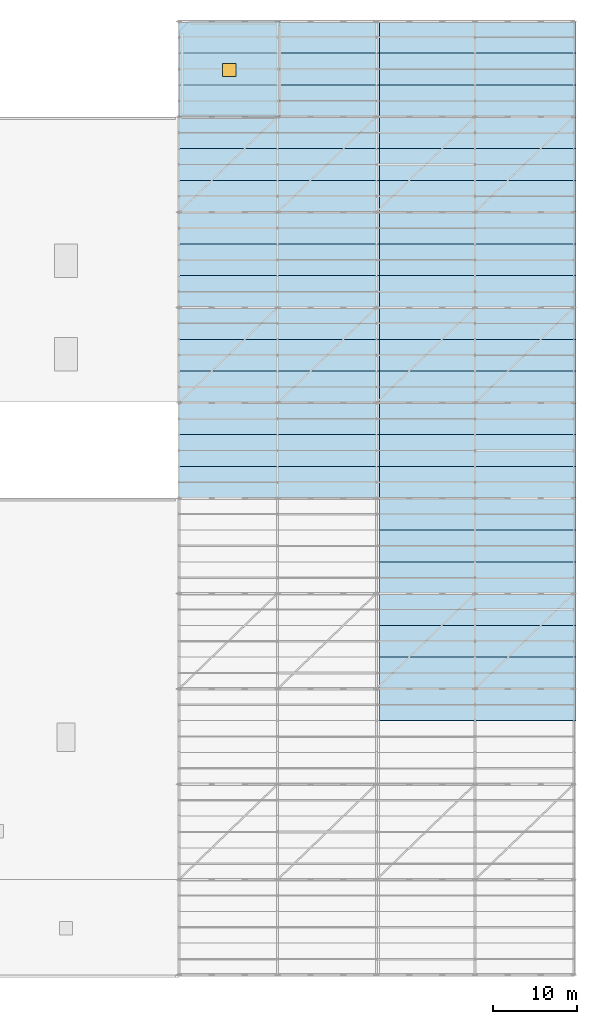
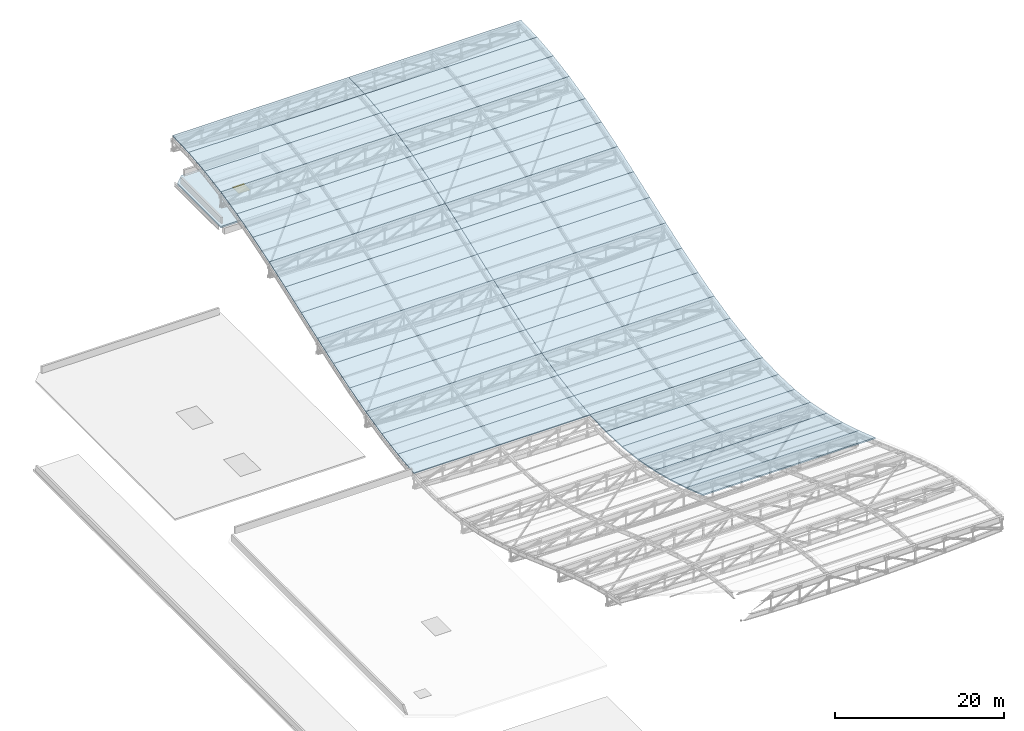
"""IFC4 building model written with IfcOpenShell, lengths in metres."""

from ifc_helpers import new_model, si_unit, direction, frame, origin, origin_2d, place, context, subcontext, project, spatial, polyline, rectangle, outline, extrude, material, layer, layer_set, type_object, element, fill, save


model = new_model("IFC4")

# Units and contexts
model_context = context("Model", 3, precision=1e-05, world=origin(), true_north=direction((0.0, 1.0)))
body_context = subcontext(model_context, "Body", "Model", "MODEL_VIEW")
ifc_project = project(units=[si_unit("LENGTHUNIT", "METRE"), si_unit("AREAUNIT", "SQUARE_METRE"), si_unit("VOLUMEUNIT", "CUBIC_METRE"), si_unit("PLANEANGLEUNIT", "RADIAN"), si_unit("MASSUNIT", "GRAM", prefix="KILO"), si_unit("POWERUNIT", "WATT"), si_unit("THERMODYNAMICTEMPERATUREUNIT", "KELVIN")], contexts=[model_context])

# Site, building, storey
site_placement = place(None, origin())
site = spatial("IfcSite", under=ifc_project, at=site_placement, CompositionType="ELEMENT")
building_placement = place(site_placement, origin())
building = spatial("IfcBuilding", under=site, at=building_placement, Name="Kelmbourne Parkland Aquatics Centre", CompositionType="ELEMENT")
storey_1_placement = place(building_placement, frame((0.0, 0.0, 27.0)))
storey_1 = spatial("IfcBuildingStorey", under=building, at=storey_1_placement, Name="RF", CompositionType="ELEMENT", Elevation=27.0)

# Slabs
ifc_material_1 = material(Name="Concrete C40/50", Category="concrete")
ifc_layer_1 = layer(ifc_material_1, 0.159912109375)
ifc_layer_set_1 = layer_set([ifc_layer_1], Name="Concrete C40/50")
slab_type_1 = type_object("IfcSlabType", Name="SL-RF1", PredefinedType="ROOF", material=ifc_layer_set_1)
slab_1_placement = place(storey_1_placement, frame((152.0, 31.199951171875, -7.657470703125), z_axis=(0.0, 0.321297319029, 0.946978369756), x_axis=(1.0, 0.0, 0.0)))
element("IfcSlab", 1, at=slab_1_placement, inside=storey_1, type_object=slab_type_1, Name="Natatorium wave roof deck facet S09-H2", PredefinedType="ROOF", context=body_context, shape_type="SweptSolid", body=[
    extrude(outline(polyline([(0.0, 0.0), (23.5, 0.0), (23.5, 4.0128148112881945), (0.0, 4.0128148112881945), (0.0, 0.0)])), origin(), (0.0, 0.0, -1.0), 0.159912109375),
])
slab_2_placement = place(storey_1_placement, frame((152.0, 35.0, -8.94677734375), z_axis=(0.0, 0.291151832676, 0.956676857842), x_axis=(1.0, 0.0, 0.0)))
element("IfcSlab", 2, at=slab_2_placement, inside=storey_1, type_object=slab_type_1, Name="Natatorium wave roof deck facet S10-H2", PredefinedType="ROOF", context=body_context, shape_type="SweptSolid", body=[
    extrude(outline(polyline([(0.0, 0.0), (23.5, 0.0), (23.5, 3.9721341610567666), (0.0, 3.9721341610567666), (0.0, 0.0)])), origin(), (0.0, 0.0, -1.0), 0.159912109375),
])
slab_3_placement = place(storey_1_placement, frame((152.0, 38.800048828125, -10.103271484375), z_axis=(0.0, 0.246328396193, 0.96918642233), x_axis=(1.0, 0.0, 0.0)))
element("IfcSlab", 3, at=slab_3_placement, inside=storey_1, type_object=slab_type_1, Name="Natatorium wave roof deck facet S11-H2", PredefinedType="ROOF", context=body_context, shape_type="SweptSolid", body=[
    extrude(outline(polyline([(0.0, 0.0), (23.5, 0.0), (23.5, 3.920864696998837), (0.0, 3.920864696998837), (0.0, 0.0)])), origin(), (0.0, 0.0, -1.0), 0.159912109375),
])
slab_4_placement = place(storey_1_placement, frame((152.0, 42.60009765625, -11.069091796875), z_axis=(0.0, 0.187868919588, 0.982194109661), x_axis=(1.0, 0.0, 0.0)))
element("IfcSlab", 4, at=slab_4_placement, inside=storey_1, type_object=slab_type_1, Name="Natatorium wave roof deck facet S12-H2", PredefinedType="ROOF", context=body_context, shape_type="SweptSolid", body=[
    extrude(outline(polyline([(0.0, 0.0), (23.5, 0.0), (23.5, 3.868690160248501), (0.0, 3.868690160248501), (0.0, 0.0)])), origin(), (0.0, 0.0, -1.0), 0.159912109375),
])
slab_5_placement = place(storey_1_placement, frame((152.0, 46.39990234375, -11.7958984375), z_axis=(0.0, 0.117899846309, 0.993025491234), x_axis=(1.0, 0.0, 0.0)))
element("IfcSlab", 5, at=slab_5_placement, inside=storey_1, type_object=slab_type_1, Name="Natatorium wave roof deck facet S13-H2", PredefinedType="ROOF", context=body_context, shape_type="SweptSolid", body=[
    extrude(outline(polyline([(0.0, 0.0), (23.5, 0.0), (23.5, 3.8267384489830505), (0.0, 3.8267384489830505), (0.0, 0.0)])), origin(), (0.0, 0.0, -1.0), 0.159912109375),
])
slab_6_placement = place(storey_1_placement, frame((152.0, 50.199951171875, -12.2470703125), z_axis=(0.0, 0.040185951091, 0.999192218412), x_axis=(1.0, 0.0, 0.0)))
element("IfcSlab", 6, at=slab_6_placement, inside=storey_1, type_object=slab_type_1, Name="Natatorium wave roof deck facet S14-H2", PredefinedType="ROOF", context=body_context, shape_type="SweptSolid", body=[
    extrude(outline(polyline([(0.0, 0.0), (23.5, 0.0), (23.5, 3.803120919180744), (0.0, 3.803120919180744), (0.0, 0.0)])), origin(), (0.0, 0.0, -1.0), 0.159912109375),
])
slab_7_placement = place(storey_1_placement, frame((152.0, 54.0, -12.39990234375), z_axis=(0.0, -0.035826647923, 0.99935801958), x_axis=(1.0, 0.0, 0.0)))
element("IfcSlab", 7, at=slab_7_placement, inside=storey_1, type_object=slab_type_1, Name="Natatorium wave roof deck facet S15-H2", PredefinedType="ROOF", context=body_context, shape_type="SweptSolid", body=[
    extrude(outline(polyline([(0.0, 0.0), (23.5, 0.0), (23.5, 3.8024899522221007), (0.0, 3.8024899522221007), (0.0, 0.0)])), origin(), (0.0, 0.0, -1.0), 0.159912109375),
])
slab_8_placement = place(storey_1_placement, frame((128.0, 57.800048828125, -12.263671875), z_axis=(0.0, -0.105732291336, 0.994394631205), x_axis=(1.0, 0.0, 0.0)))
element("IfcSlab", 8, at=slab_8_placement, inside=storey_1, type_object=slab_type_1, Name="Natatorium wave roof deck facet S16-H1", PredefinedType="ROOF", context=body_context, shape_type="SweptSolid", body=[
    extrude(outline(polyline([(0.0, 0.0), (24.0, 0.0), (24.0, 3.821469574429463), (0.0, 3.821469574429463), (0.0, 0.0)])), origin(), (0.0, 0.0, -1.0), 0.159912109375),
])
slab_9_placement = place(storey_1_placement, frame((152.0, 57.800048828125, -12.263671875), z_axis=(0.0, -0.105732291336, 0.994394631205), x_axis=(1.0, 0.0, 0.0)))
element("IfcSlab", 9, at=slab_9_placement, inside=storey_1, type_object=slab_type_1, Name="Natatorium wave roof deck facet S16-H2", PredefinedType="ROOF", context=body_context, shape_type="SweptSolid", body=[
    extrude(outline(polyline([(0.0, 0.0), (23.5, 0.0), (23.5, 3.821469574429463), (0.0, 3.821469574429463), (0.0, 0.0)])), origin(), (0.0, 0.0, -1.0), 0.159912109375),
])
slab_10_placement = place(storey_1_placement, frame((128.0, 61.60009765625, -11.859619140625), z_axis=(0.0, -0.170186775941, 0.985411823196), x_axis=(1.0, 0.0, 0.0)))
element("IfcSlab", 10, at=slab_10_placement, inside=storey_1, type_object=slab_type_1, Name="Natatorium wave roof deck facet S17-H1", PredefinedType="ROOF", context=body_context, shape_type="SweptSolid", body=[
    extrude(outline(polyline([(0.0, 0.0), (24.0, 0.0), (24.0, 3.8560575366100243), (0.0, 3.8560575366100243), (0.0, 0.0)])), origin(), (0.0, 0.0, -1.0), 0.159912109375),
])
slab_11_placement = place(storey_1_placement, frame((152.0, 61.60009765625, -11.859619140625), z_axis=(0.0, -0.170186775941, 0.985411823196), x_axis=(1.0, 0.0, 0.0)))
element("IfcSlab", 11, at=slab_11_placement, inside=storey_1, type_object=slab_type_1, Name="Natatorium wave roof deck facet S17-H2", PredefinedType="ROOF", context=body_context, shape_type="SweptSolid", body=[
    extrude(outline(polyline([(0.0, 0.0), (23.5, 0.0), (23.5, 3.8560575366100243), (0.0, 3.8560575366100243), (0.0, 0.0)])), origin(), (0.0, 0.0, -1.0), 0.159912109375),
])
slab_12_placement = place(storey_1_placement, frame((128.0, 65.39990234375, -11.203369140625), z_axis=(0.0, -0.226289818438, 0.974060017695), x_axis=(1.0, 0.0, 0.0)))
element("IfcSlab", 12, at=slab_12_placement, inside=storey_1, type_object=slab_type_1, Name="Natatorium wave roof deck facet S18-H1", PredefinedType="ROOF", context=body_context, shape_type="SweptSolid", body=[
    extrude(outline(polyline([(0.0, 0.0), (24.0, 0.0), (24.0, 3.901247109103759), (0.0, 3.901247109103759), (0.0, 0.0)])), origin(), (0.0, 0.0, -1.0), 0.159912109375),
])
slab_13_placement = place(storey_1_placement, frame((152.0, 65.39990234375, -11.203369140625), z_axis=(0.0, -0.226289818438, 0.974060017695), x_axis=(1.0, 0.0, 0.0)))
element("IfcSlab", 13, at=slab_13_placement, inside=storey_1, type_object=slab_type_1, Name="Natatorium wave roof deck facet S18-H2", PredefinedType="ROOF", context=body_context, shape_type="SweptSolid", body=[
    extrude(outline(polyline([(0.0, 0.0), (23.5, 0.0), (23.5, 3.9012471091037586), (0.0, 3.9012471091037586), (0.0, 0.0)])), origin(), (0.0, 0.0, -1.0), 0.159912109375),
])
slab_14_placement = place(storey_1_placement, frame((128.0, 69.199951171875, -10.320556640625), z_axis=(0.0, -0.272483357885, 0.962160495799), x_axis=(1.0, 0.0, 0.0)))
element("IfcSlab", 14, at=slab_14_placement, inside=storey_1, type_object=slab_type_1, Name="Natatorium wave roof deck facet S19-H1", PredefinedType="ROOF", context=body_context, shape_type="SweptSolid", body=[
    extrude(outline(polyline([(0.0, 0.0), (24.0, 0.0), (24.0, 3.9494957906896415), (0.0, 3.9494957906896415), (0.0, 0.0)])), origin(), (0.0, 0.0, -1.0), 0.159912109375),
])
slab_15_placement = place(storey_1_placement, frame((152.0, 69.199951171875, -10.320556640625), z_axis=(0.0, -0.272483357885, 0.962160495799), x_axis=(1.0, 0.0, 0.0)))
element("IfcSlab", 15, at=slab_15_placement, inside=storey_1, type_object=slab_type_1, Name="Natatorium wave roof deck facet S19-H2", PredefinedType="ROOF", context=body_context, shape_type="SweptSolid", body=[
    extrude(outline(polyline([(0.0, 0.0), (23.5, 0.0), (23.5, 3.9494957906896424), (0.0, 3.9494957906896424), (0.0, 0.0)])), origin(), (0.0, 0.0, -1.0), 0.159912109375),
])
slab_16_placement = place(storey_1_placement, frame((128.0, 73.0, -9.244384765625), z_axis=(0.0, -0.307336797257, 0.951600805512), x_axis=(1.0, 0.0, 0.0)))
element("IfcSlab", 16, at=slab_16_placement, inside=storey_1, type_object=slab_type_1, Name="Natatorium wave roof deck facet S20-H1", PredefinedType="ROOF", context=body_context, shape_type="SweptSolid", body=[
    extrude(outline(polyline([(0.0, 0.0), (24.0, 0.0), (24.0, 3.993322416408966), (0.0, 3.993322416408966), (0.0, 0.0)])), origin(), (0.0, 0.0, -1.0), 0.159912109375),
])
slab_17_placement = place(storey_1_placement, frame((152.0, 73.0, -9.244384765625), z_axis=(0.0, -0.307336797257, 0.951600805512), x_axis=(1.0, 0.0, 0.0)))
element("IfcSlab", 17, at=slab_17_placement, inside=storey_1, type_object=slab_type_1, Name="Natatorium wave roof deck facet S20-H2", PredefinedType="ROOF", context=body_context, shape_type="SweptSolid", body=[
    extrude(outline(polyline([(0.0, 0.0), (23.5, 0.0), (23.5, 3.993322416408966), (0.0, 3.993322416408966), (0.0, 0.0)])), origin(), (0.0, 0.0, -1.0), 0.159912109375),
])
slab_18_placement = place(storey_1_placement, frame((128.0, 76.800048828125, -8.01708984375), z_axis=(0.0, -0.330795996428, 0.943702288196), x_axis=(1.0, 0.0, 0.0)))
element("IfcSlab", 18, at=slab_18_placement, inside=storey_1, type_object=slab_type_1, Name="Natatorium wave roof deck facet S21-H1", PredefinedType="ROOF", context=body_context, shape_type="SweptSolid", body=[
    extrude(outline(polyline([(0.0, 0.0), (24.0, 0.0), (24.0, 4.026745378976767), (0.0, 4.026745378976767), (0.0, 0.0)])), origin(), (0.0, 0.0, -1.0), 0.159912109375),
])
slab_19_placement = place(storey_1_placement, frame((152.0, 76.800048828125, -8.01708984375), z_axis=(0.0, -0.330795996428, 0.943702288196), x_axis=(1.0, 0.0, 0.0)))
element("IfcSlab", 19, at=slab_19_placement, inside=storey_1, type_object=slab_type_1, Name="Natatorium wave roof deck facet S21-H2", PredefinedType="ROOF", context=body_context, shape_type="SweptSolid", body=[
    extrude(outline(polyline([(0.0, 0.0), (23.5, 0.0), (23.5, 4.026745378976766), (0.0, 4.026745378976766), (0.0, 0.0)])), origin(), (0.0, 0.0, -1.0), 0.159912109375),
])
slab_20_placement = place(storey_1_placement, frame((128.0, 80.60009765625, -6.68505859375), z_axis=(0.0, -0.342455458136, 0.939534064945), x_axis=(1.0, 0.0, 0.0)))
element("IfcSlab", 20, at=slab_20_placement, inside=storey_1, type_object=slab_type_1, Name="Natatorium wave roof deck facet S22-H1", PredefinedType="ROOF", context=body_context, shape_type="SweptSolid", body=[
    extrude(outline(polyline([(0.0, 0.0), (24.0, 0.0), (24.0, 4.0443500978554745), (0.0, 4.0443500978554745), (0.0, 0.0)])), origin(), (0.0, 0.0, -1.0), 0.159912109375),
])
slab_21_placement = place(storey_1_placement, frame((152.0, 80.60009765625, -6.68505859375), z_axis=(0.0, -0.342455458136, 0.939534064945), x_axis=(1.0, 0.0, 0.0)))
element("IfcSlab", 21, at=slab_21_placement, inside=storey_1, type_object=slab_type_1, Name="Natatorium wave roof deck facet S22-H2", PredefinedType="ROOF", context=body_context, shape_type="SweptSolid", body=[
    extrude(outline(polyline([(0.0, 0.0), (23.5, 0.0), (23.5, 4.0443500978554745), (0.0, 4.0443500978554745), (0.0, 0.0)])), origin(), (0.0, 0.0, -1.0), 0.159912109375),
])
slab_22_placement = place(storey_1_placement, frame((128.0, 84.39990234375, -5.300048828125), z_axis=(0.0, -0.342489319067, 0.939521722115), x_axis=(1.0, 0.0, 0.0)))
element("IfcSlab", 22, at=slab_22_placement, inside=storey_1, type_object=slab_type_1, Name="Natatorium wave roof deck facet S23-H1", PredefinedType="ROOF", context=body_context, shape_type="SweptSolid", body=[
    extrude(outline(polyline([(0.0, 0.0), (24.0, 0.0), (24.0, 4.0446630862057065), (0.0, 4.0446630862057065), (0.0, 0.0)])), origin(), (0.0, 0.0, -1.0), 0.159912109375),
])
slab_23_placement = place(storey_1_placement, frame((152.0, 84.39990234375, -5.300048828125), z_axis=(0.0, -0.342489319067, 0.939521722115), x_axis=(1.0, 0.0, 0.0)))
element("IfcSlab", 23, at=slab_23_placement, inside=storey_1, type_object=slab_type_1, Name="Natatorium wave roof deck facet S23-H2", PredefinedType="ROOF", context=body_context, shape_type="SweptSolid", body=[
    extrude(outline(polyline([(0.0, 0.0), (23.5, 0.0), (23.5, 4.0446630862057065), (0.0, 4.0446630862057065), (0.0, 0.0)])), origin(), (0.0, 0.0, -1.0), 0.159912109375),
])
slab_24_placement = place(storey_1_placement, frame((128.0, 88.199951171875, -3.914794921875), z_axis=(0.0, -0.330741999511, 0.943721214003), x_axis=(1.0, 0.0, 0.0)))
element("IfcSlab", 24, at=slab_24_placement, inside=storey_1, type_object=slab_type_1, Name="Natatorium wave roof deck facet S24-H1", PredefinedType="ROOF", context=body_context, shape_type="SweptSolid", body=[
    extrude(outline(polyline([(0.0, 0.0), (24.0, 0.0), (24.0, 4.0266646248268065), (0.0, 4.0266646248268065), (0.0, 0.0)])), origin(), (0.0, 0.0, -1.0), 0.159912109375),
])
slab_25_placement = place(storey_1_placement, frame((152.0, 88.199951171875, -3.914794921875), z_axis=(0.0, -0.330741999511, 0.943721214003), x_axis=(1.0, 0.0, 0.0)))
element("IfcSlab", 25, at=slab_25_placement, inside=storey_1, type_object=slab_type_1, Name="Natatorium wave roof deck facet S24-H2", PredefinedType="ROOF", context=body_context, shape_type="SweptSolid", body=[
    extrude(outline(polyline([(0.0, 0.0), (23.5, 0.0), (23.5, 4.0266646248268065), (0.0, 4.0266646248268065), (0.0, 0.0)])), origin(), (0.0, 0.0, -1.0), 0.159912109375),
])
slab_26_placement = place(storey_1_placement, frame((128.0, 92.0, -2.5830078125), z_axis=(0.0, -0.307392158144, 0.951582923928), x_axis=(1.0, 0.0, 0.0)))
element("IfcSlab", 26, at=slab_26_placement, inside=storey_1, type_object=slab_type_1, Name="Natatorium wave roof deck facet S25-H1", PredefinedType="ROOF", context=body_context, shape_type="SweptSolid", body=[
    extrude(outline(polyline([(0.0, 0.0), (24.0, 0.0), (24.0, 3.9933974565647183), (0.0, 3.9933974565647183), (0.0, 0.0)])), origin(), (0.0, 0.0, -1.0), 0.159912109375),
])
slab_27_placement = place(storey_1_placement, frame((152.0, 92.0, -2.5830078125), z_axis=(0.0, -0.307392158144, 0.951582923928), x_axis=(1.0, 0.0, 0.0)))
element("IfcSlab", 27, at=slab_27_placement, inside=storey_1, type_object=slab_type_1, Name="Natatorium wave roof deck facet S25-H2", PredefinedType="ROOF", context=body_context, shape_type="SweptSolid", body=[
    extrude(outline(polyline([(0.0, 0.0), (23.5, 0.0), (23.5, 3.993397456564719), (0.0, 3.993397456564719), (0.0, 0.0)])), origin(), (0.0, 0.0, -1.0), 0.159912109375),
])
slab_28_placement = place(storey_1_placement, frame((128.0, 95.800048828125, -1.35546875), z_axis=(0.0, -0.272426130433, 0.962176700745), x_axis=(1.0, 0.0, 0.0)))
element("IfcSlab", 28, at=slab_28_placement, inside=storey_1, type_object=slab_type_1, Name="Natatorium wave roof deck facet S26-H1", PredefinedType="ROOF", context=body_context, shape_type="SweptSolid", body=[
    extrude(outline(polyline([(0.0, 0.0), (24.0, 0.0), (24.0, 3.94942927341806), (0.0, 3.94942927341806), (0.0, 0.0)])), origin(), (0.0, 0.0, -1.0), 0.159912109375),
])
slab_29_placement = place(storey_1_placement, frame((152.0, 95.800048828125, -1.35546875), z_axis=(0.0, -0.272426130433, 0.962176700745), x_axis=(1.0, 0.0, 0.0)))
element("IfcSlab", 29, at=slab_29_placement, inside=storey_1, type_object=slab_type_1, Name="Natatorium wave roof deck facet S26-H2", PredefinedType="ROOF", context=body_context, shape_type="SweptSolid", body=[
    extrude(outline(polyline([(0.0, 0.0), (23.5, 0.0), (23.5, 3.94942927341806), (0.0, 3.94942927341806), (0.0, 0.0)])), origin(), (0.0, 0.0, -1.0), 0.159912109375),
])
slab_30_placement = place(storey_1_placement, frame((128.0, 99.60009765625, -0.279541015625), z_axis=(0.0, -0.226362990733, 0.974043015696), x_axis=(1.0, 0.0, 0.0)))
element("IfcSlab", 30, at=slab_30_placement, inside=storey_1, type_object=slab_type_1, Name="Natatorium wave roof deck facet S27-H1", PredefinedType="ROOF", context=body_context, shape_type="SweptSolid", body=[
    extrude(outline(polyline([(0.0, 0.0), (24.0, 0.0), (24.0, 3.901064559027303), (0.0, 3.901064559027303), (0.0, 0.0)])), origin(), (0.0, 0.0, -1.0), 0.159912109375),
])
slab_31_placement = place(storey_1_placement, frame((152.0, 99.60009765625, -0.279541015625), z_axis=(0.0, -0.226362990733, 0.974043015696), x_axis=(1.0, 0.0, 0.0)))
element("IfcSlab", 31, at=slab_31_placement, inside=storey_1, type_object=slab_type_1, Name="Natatorium wave roof deck facet S27-H2", PredefinedType="ROOF", context=body_context, shape_type="SweptSolid", body=[
    extrude(outline(polyline([(0.0, 0.0), (23.5, 0.0), (23.5, 3.901064559027303), (0.0, 3.901064559027303), (0.0, 0.0)])), origin(), (0.0, 0.0, -1.0), 0.159912109375),
])
slab_32_placement = place(storey_1_placement, frame((128.0, 103.39990234375, 0.603515625), z_axis=(0.0, -0.170114681522, 0.985424271637), x_axis=(1.0, 0.0, 0.0)))
element("IfcSlab", 32, at=slab_32_placement, inside=storey_1, type_object=slab_type_1, Name="Natatorium wave roof deck facet S28-H1", PredefinedType="ROOF", context=body_context, shape_type="SweptSolid", body=[
    extrude(outline(polyline([(0.0, 0.0), (24.0, 0.0), (24.0, 3.856256576483017), (0.0, 3.856256576483017), (0.0, 0.0)])), origin(), (0.0, 0.0, -1.0), 0.159912109375),
])
slab_33_placement = place(storey_1_placement, frame((152.0, 103.39990234375, 0.603515625), z_axis=(0.0, -0.170114681522, 0.985424271637), x_axis=(1.0, 0.0, 0.0)))
element("IfcSlab", 33, at=slab_33_placement, inside=storey_1, type_object=slab_type_1, Name="Natatorium wave roof deck facet S28-H2", PredefinedType="ROOF", context=body_context, shape_type="SweptSolid", body=[
    extrude(outline(polyline([(0.0, 0.0), (23.5, 0.0), (23.5, 3.856256576483017), (0.0, 3.856256576483017), (0.0, 0.0)])), origin(), (0.0, 0.0, -1.0), 0.159912109375),
])
slab_34_placement = place(storey_1_placement, frame((128.0, 107.199951171875, 1.259521484375), z_axis=(0.0, -0.105732291336, 0.994394631205), x_axis=(1.0, 0.0, 0.0)))
element("IfcSlab", 34, at=slab_34_placement, inside=storey_1, type_object=slab_type_1, Name="Natatorium wave roof deck facet S29-H1", PredefinedType="ROOF", context=body_context, shape_type="SweptSolid", body=[
    extrude(outline(polyline([(0.0, 0.0), (24.0, 0.0), (24.0, 3.821469574429463), (0.0, 3.821469574429463), (0.0, 0.0)])), origin(), (0.0, 0.0, -1.0), 0.159912109375),
])
slab_35_placement = place(storey_1_placement, frame((152.0, 107.199951171875, 1.259521484375), z_axis=(0.0, -0.105732291336, 0.994394631205), x_axis=(1.0, 0.0, 0.0)))
element("IfcSlab", 35, at=slab_35_placement, inside=storey_1, type_object=slab_type_1, Name="Natatorium wave roof deck facet S29-H2", PredefinedType="ROOF", context=body_context, shape_type="SweptSolid", body=[
    extrude(outline(polyline([(0.0, 0.0), (23.5, 0.0), (23.5, 3.821469574429463), (0.0, 3.821469574429463), (0.0, 0.0)])), origin(), (0.0, 0.0, -1.0), 0.159912109375),
])
slab_36_placement = place(storey_1_placement, frame((128.0, 111.0, 1.66357421875), z_axis=(0.0, -0.035890770753, 0.999355718738), x_axis=(1.0, 0.0, 0.0)))
element("IfcSlab", 36, at=slab_36_placement, inside=storey_1, type_object=slab_type_1, Name="Natatorium wave roof deck facet S30-H1", PredefinedType="ROOF", context=body_context, shape_type="SweptSolid", body=[
    extrude(outline(polyline([(0.0, 0.0), (24.0, 0.0), (24.0, 3.8024987067898186), (0.0, 3.8024987067898186), (0.0, 0.0)])), origin(), (0.0, 0.0, -1.0), 0.159912109375),
])
slab_37_placement = place(storey_1_placement, frame((152.0, 111.0, 1.66357421875), z_axis=(0.0, -0.035890770753, 0.999355718738), x_axis=(1.0, 0.0, 0.0)))
element("IfcSlab", 37, at=slab_37_placement, inside=storey_1, type_object=slab_type_1, Name="Natatorium wave roof deck facet S30-H2", PredefinedType="ROOF", context=body_context, shape_type="SweptSolid", body=[
    extrude(outline(polyline([(0.0, 0.0), (23.5, 0.0), (23.5, 3.802498706789819), (0.0, 3.802498706789819), (0.0, 0.0)])), origin(), (0.0, 0.0, -1.0), 0.159912109375),
])

# Slab, opening
ifc_layer_2 = layer(ifc_material_1, 0.239990234375)
ifc_layer_set_2 = layer_set([ifc_layer_2], Name="Concrete C40/50")
slab_type_2 = type_object("IfcSlabType", Name="SL-RF2", PredefinedType="ROOF", material=ifc_layer_set_2)
slab_38_placement = place(storey_1_placement, frame((0.0, 0.0, -4.639892578125)))
slab_38 = element("IfcSlab", 38, at=slab_38_placement, inside=storey_1, type_object=slab_type_2, Name="Flat companion roof slab ROOF-V2-CR5", PredefinedType="ROOF", context=body_context, shape_type="SweptSolid", body=[
    extrude(outline(polyline([(128.0, 103.39990234375), (140.0, 103.39990234375), (140.0, 114.85009765625), (129.199951171875, 114.85009765625), (128.0, 113.64990234375), (128.0, 103.39990234375)])), origin(), (0.0, 0.0, 1.0), 0.239990234375),
])
opening_placement = place(slab_38_placement, frame((134.0, 109.0, 0.0)))
opening = element("IfcOpeningElement", 39, at=opening_placement, cuts=slab_38, Name="Opening LDM1", PredefinedType="OPENING", context=body_context, shape_type="SweptSolid", body=[
    extrude(rectangle(XDim=1.60009765625, YDim=1.60009765625, at=origin_2d()), frame((0.0, 0.0, -0.011962890625)), (0.0, 0.0, 1.0), 0.263916015625),
])

# Storey
storey_2_placement = place(building_placement, frame((0.0, 0.0, 19.199951171875)))
storey_2 = spatial("IfcBuildingStorey", under=building, at=storey_2_placement, Name="L04", CompositionType="ELEMENT", Elevation=19.199951171875)

# Window
ifc_material_2 = material(Name="Double-glazed low-e laminated safety glass", Category="glass")
ifc_layer_3 = layer(ifc_material_2, 0.139892578125)
ifc_layer_set_3 = layer_set([ifc_layer_3], Name="Double-glazed low-e laminated safety glass")
window_type = type_object("IfcWindowType", Name="WN-DOME-1", PartitioningType="SINGLE_PANEL", PredefinedType="LIGHTDOME", material=ifc_layer_set_3)
window_placement = place(opening_placement, frame((0.0, 0.0, 0.18994140625)))
window = element("IfcWindow", 40, at=window_placement, inside=storey_2, type_object=window_type, Name="Roof lightdome LDM-06", OverallHeight=1.60009765625, OverallWidth=1.60009765625, PartitioningType="SINGLE_PANEL", PredefinedType="LIGHTDOME", context=body_context, shape_type="SweptSolid", body=[
    extrude(rectangle(XDim=1.60009765625, YDim=1.60009765625, at=origin_2d()), origin(), (0.0, 0.0, 1.0), 0.050048828125),
])

fill(opening, window)

save(model, "model.ifc")
